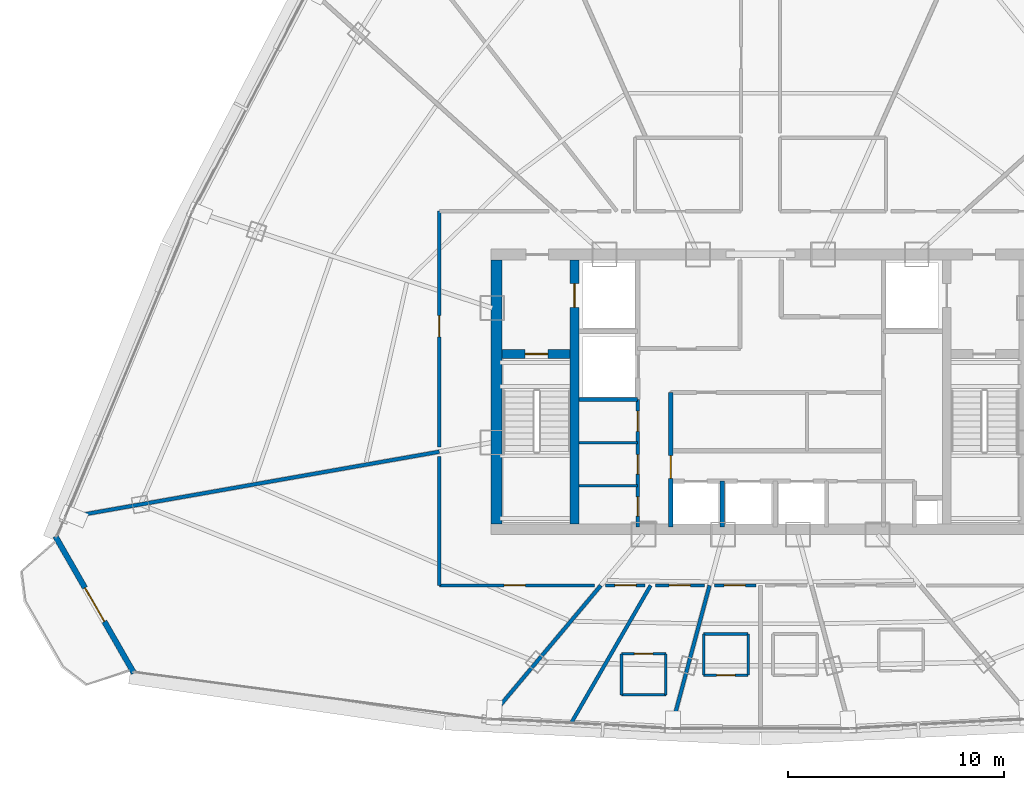
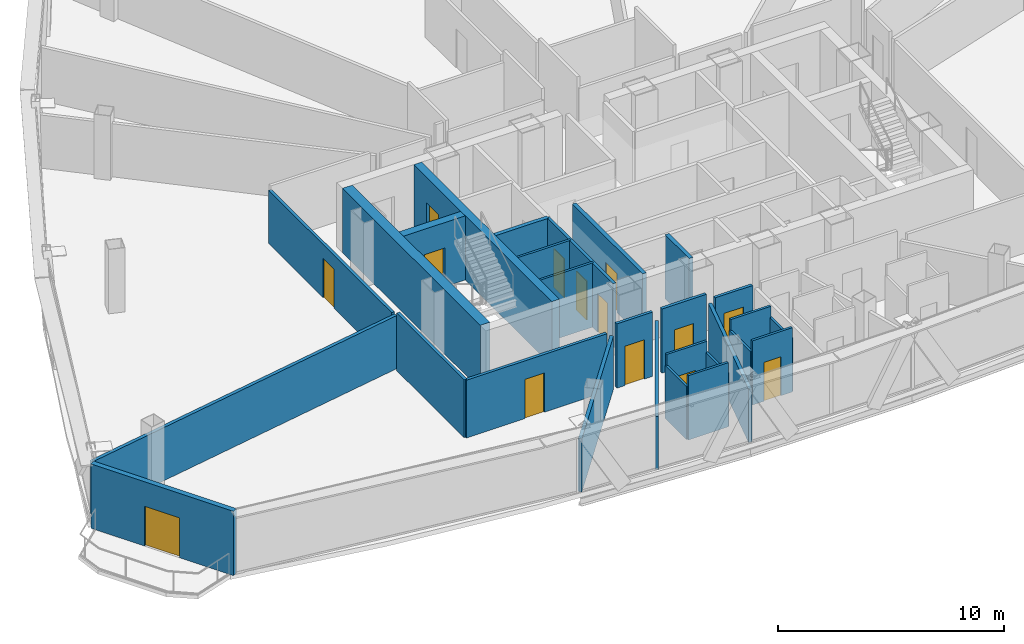
# One storey, part 33 of 39: 28 walls, 14 doors, 14 openings.
"""IFC4 building model written with IfcOpenShell, lengths in metres."""

from ifc_helpers import new_model, si_unit, direction, frame, frame_2d, origin, origin_with_axes, place, context, subcontext, project, spatial, rectangle, extrude, source, transform, mapped, material, layer, layer_set, type_object, element, fill, save


model = new_model("IFC4")

# Units and contexts
model_context = context("Model", 3, precision=1e-05, world=origin(), true_north=direction((0.0, 1.0)))
body_context = subcontext(model_context, "Body", "Model", "MODEL_VIEW")
ifc_project = project(units=[si_unit("LENGTHUNIT", "METRE"), si_unit("AREAUNIT", "SQUARE_METRE"), si_unit("VOLUMEUNIT", "CUBIC_METRE"), si_unit("PLANEANGLEUNIT", "RADIAN"), si_unit("MASSUNIT", "GRAM", prefix="KILO"), si_unit("THERMODYNAMICTEMPERATUREUNIT", "KELVIN"), si_unit("POWERUNIT", "WATT")], contexts=[model_context])

# Site, building, storey
site_placement = place(None, origin())
site = spatial("IfcSite", under=ifc_project, at=site_placement, CompositionType="ELEMENT")
building_placement = place(site_placement, origin())
building = spatial("IfcBuilding", under=site, at=building_placement, Name="Yunzhuo Pagoda Commons", CompositionType="ELEMENT")
storey_placement = place(building_placement, frame((0.0, 0.0, 285.02001953125)))
storey = spatial("IfcBuildingStorey", under=building, at=storey_placement, Name="L71", CompositionType="ELEMENT", Elevation=285.02001953125)

# Wall, opening, door
ifc_material_1 = material(Name="Precast concrete C40", Category="concrete")
ifc_layer_1 = layer(ifc_material_1, 0.260009765625)
ifc_layer_set_1 = layer_set([ifc_layer_1], Name="Precast concrete C40")
wall_type_1 = type_object("IfcWallType", Name="W-BAL1 Corner Balcony Threshold Wall 260", PredefinedType="STANDARD", material=ifc_layer_set_1)
wall_1_placement = place(storey_placement, frame((15.402099609375, 27.174072265625, 0.0), z_axis=(0.0, 0.0, 1.0), x_axis=(0.497929527106, -0.867217496385, 0.0)))
wall_1 = element("IfcWall", 1, at=wall_1_placement, inside=storey, type_object=wall_type_1, Name="L71 corner balcony wall V1", PredefinedType="STANDARD", context=body_context, shape_type="SweptSolid", body=[
    extrude(rectangle(XDim=7.29345703125, YDim=0.260009765625, at=frame_2d((3.646728515625, 0.0))), origin(), (0.0, 0.0, 1.0), 3.469970703125),
])
opening_1_placement = place(wall_1_placement, frame((2.74658203125, 0.0, 0.0)))
opening_1 = element("IfcOpeningElement", 2, at=opening_1_placement, cuts=wall_1, Name="Opening D-BAL1", PredefinedType="OPENING", context=body_context, shape_type="SweptSolid", body=[
    extrude(rectangle(XDim=1.800048828125, YDim=2.14990234375, at=frame_2d((0.89990234375, 1.074951171875))), frame((0.0, 0.14013671875, 0.0), z_axis=(0.0, -1.0, 0.0), x_axis=(1.0, 0.0, 0.0)), (0.0, 0.0, 1.0), 0.280029296875),
])
ifc_material_2 = material(Name="Anodized aluminium frame and tempered glazed leaf", Category="aluminium")
door_type_1 = type_object("IfcDoorType", Name="D-BAL1 Corner Balcony Sliding Glazed Door 1800x2150", OperationType="DOUBLE_DOOR_SLIDING", PredefinedType="DOOR", material=ifc_material_2)
shared_shape_1 = source(origin(), body_context, "Body", "SweptSolid", [
    extrude(rectangle(XDim=1.800048828125, YDim=2.14990234375, at=frame_2d((0.89990234375, 1.074951171875))), frame((0.0, 0.02490234375, 0.0), z_axis=(0.0, -1.0, 0.0), x_axis=(1.0, 0.0, 0.0)), (0.0, 0.0, 1.0), 0.050048828125),
])
door_1_placement = place(opening_1_placement, origin_with_axes())
door_1 = element("IfcDoor", 3, at=door_1_placement, inside=storey, type_object=door_type_1, Name="L71 corner balcony sliding door V1", OperationType="DOUBLE_DOOR_SLIDING", OverallHeight=2.14990234375, OverallWidth=1.800048828125, PredefinedType="DOOR", context=body_context, shape_type="MappedRepresentation", body=[
    mapped(shared_shape_1, transform((0.0, 0.0, 0.0), scale=1.0)),
])
fill(opening_1, door_1)

# Wall
ifc_material_3 = material(Name="Concrete C50", Category="concrete")
ifc_layer_2 = layer(ifc_material_3, 0.5)
ifc_layer_set_2 = layer_set([ifc_layer_2], Name="Concrete C50")
wall_type_2 = type_object("IfcWallType", Name="W-C03 Upper Core Shear Wall 500", PredefinedType="SHEAR", material=ifc_layer_set_2)
wall_2_placement = place(storey_placement, frame((35.800048828125, 27.75, 0.0), z_axis=(0.0, 0.0, 1.0), x_axis=(0.0, 1.0, 0.0)))
element("IfcWall", 4, at=wall_2_placement, inside=storey, type_object=wall_type_2, Name="L71 core shear wall W", PredefinedType="SHEAR", context=body_context, shape_type="SweptSolid", body=[
    extrude(rectangle(XDim=12.199951171875, YDim=0.5, at=frame_2d((6.10009765625, 0.0))), origin(), (0.0, 0.0, 1.0), 3.469970703125),
])

# Wall, openings, doors
ifc_material_4 = material(Name="Gypsum plasterboard on acoustic stud")
ifc_layer_3 = layer(ifc_material_4, 0.14990234375)
ifc_layer_set_3 = layer_set([ifc_layer_3], Name="Gypsum plasterboard on acoustic stud")
wall_type_3 = type_object("IfcWallType", Name="W-COR3 High-Zone Rated Corridor Wall 150", PredefinedType="PARTITIONING", material=ifc_layer_set_3)
wall_3_placement = place(storey_placement, frame((42.320068359375, 27.60009765625, 0.0), z_axis=(0.0, 0.0, 1.0), x_axis=(0.0, 1.0, 0.0)))
wall_3 = element("IfcWall", 5, at=wall_3_placement, inside=storey, type_object=wall_type_3, Name="L71 interior wall IW-L71-CSWE", PredefinedType="PARTITIONING", context=body_context, shape_type="SweptSolid", body=[
    extrude(rectangle(XDim=5.89990234375, YDim=0.14990234375, at=frame_2d((2.949951171875, 0.0))), origin(), (0.0, 0.0, 1.0), 3.469970703125),
])
opening_2_placement = place(wall_3_placement, frame((0.5, 0.0, 0.0)))
opening_2 = element("IfcOpeningElement", 6, at=opening_2_placement, cuts=wall_3, Name="Opening D-03", PredefinedType="OPENING", context=body_context, shape_type="SweptSolid", body=[
    extrude(rectangle(XDim=0.89990234375, YDim=2.10009765625, at=frame_2d((0.449951171875, 1.050048828125))), frame((0.0, 0.0849609375, 0.0), z_axis=(0.0, -1.0, 0.0), x_axis=(1.0, 0.0, 0.0)), (0.0, 0.0, 1.0), 0.169921875),
])
opening_3_placement = place(wall_3_placement, frame((2.449951171875, 0.0, 0.0)))
opening_3 = element("IfcOpeningElement", 7, at=opening_3_placement, cuts=wall_3, Name="Opening D-03", PredefinedType="OPENING", context=body_context, shape_type="SweptSolid", body=[
    extrude(rectangle(XDim=0.89990234375, YDim=2.10009765625, at=frame_2d((0.449951171875, 1.050048828125))), frame((0.0, 0.0849609375, 0.0), z_axis=(0.0, -1.0, 0.0), x_axis=(1.0, 0.0, 0.0)), (0.0, 0.0, 1.0), 0.169921875),
])
opening_4_placement = place(wall_3_placement, frame((4.419921875, 0.0, 0.0)))
opening_4 = element("IfcOpeningElement", 8, at=opening_4_placement, cuts=wall_3, Name="Opening D-11", PredefinedType="OPENING", context=body_context, shape_type="SweptSolid", body=[
    extrude(rectangle(XDim=0.93994140625, YDim=2.10009765625, at=frame_2d((0.469970703125, 1.050048828125))), frame((0.0, 0.0849609375, 0.0), z_axis=(0.0, -1.0, 0.0), x_axis=(1.0, 0.0, 0.0)), (0.0, 0.0, 1.0), 0.169921875),
])
ifc_material_5 = material(Name="Galvanized fire-resisting metal leaf")
door_type_2 = type_object("IfcDoorType", Name="D-03 Core Service Fire Door 900x2100", OperationType="NOTDEFINED", PredefinedType="DOOR", material=ifc_material_5)
shared_shape_2 = source(origin(), body_context, "Body", "SweptSolid", [
    extrude(rectangle(XDim=0.89990234375, YDim=2.10009765625, at=frame_2d((0.449951171875, 1.050048828125))), frame((0.0, 0.02490234375, 0.0), z_axis=(0.0, -1.0, 0.0), x_axis=(1.0, 0.0, 0.0)), (0.0, 0.0, 1.0), 0.050048828125),
])
door_2_placement = place(opening_2_placement, origin_with_axes())
door_2 = element("IfcDoor", 9, at=door_2_placement, inside=storey, type_object=door_type_2, Name="L71 switch door", OperationType="SINGLE_SWING_RIGHT", OverallHeight=2.10009765625, OverallWidth=0.89990234375, PredefinedType="DOOR", context=body_context, shape_type="MappedRepresentation", body=[
    mapped(shared_shape_2, transform((0.0, 0.0, 0.0), scale=1.0)),
])
fill(opening_2, door_2)
door_3_placement = place(opening_3_placement, origin_with_axes())
door_3 = element("IfcDoor", 10, at=door_3_placement, inside=storey, type_object=door_type_2, Name="L71 cleaner door", OperationType="SINGLE_SWING_RIGHT", OverallHeight=2.10009765625, OverallWidth=0.89990234375, PredefinedType="DOOR", context=body_context, shape_type="MappedRepresentation", body=[
    mapped(shared_shape_2, transform((0.0, 0.0, 0.0), scale=1.0)),
])
fill(opening_3, door_3)
door_type_3 = type_object("IfcDoorType", Name="D-11 Accessible Washroom Fire Door 940x2100", OperationType="NOTDEFINED", PredefinedType="DOOR", material=ifc_material_5)
shared_shape_3 = source(origin(), body_context, "Body", "SweptSolid", [
    extrude(rectangle(XDim=0.93994140625, YDim=2.10009765625, at=frame_2d((0.469970703125, 1.050048828125))), frame((0.0, 0.02490234375, 0.0), z_axis=(0.0, -1.0, 0.0), x_axis=(1.0, 0.0, 0.0)), (0.0, 0.0, 1.0), 0.050048828125),
])
door_4_placement = place(opening_4_placement, origin_with_axes())
door_4 = element("IfcDoor", 11, at=door_4_placement, inside=storey, type_object=door_type_3, Name="L71 core WC door", OperationType="SINGLE_SWING_LEFT", OverallHeight=2.10009765625, OverallWidth=0.93994140625, PredefinedType="DOOR", context=body_context, shape_type="MappedRepresentation", body=[
    mapped(shared_shape_3, transform((0.0, 0.0, 0.0), scale=1.0)),
])
fill(opening_4, door_4)

# Wall
wall_4_placement = place(storey_placement, frame((33.14990234375, 24.89990234375, 0.0), z_axis=(0.0, 0.0, 1.0), x_axis=(0.0, 1.0, 0.0)))
element("IfcWall", 12, at=wall_4_placement, inside=storey, type_object=wall_type_3, Name="L71 interior wall IW-L71-CWL01", PredefinedType="PARTITIONING", context=body_context, shape_type="SweptSolid", body=[
    extrude(rectangle(XDim=5.958251953125, YDim=0.14990234375, at=frame_2d((2.97900390625, 0.0))), origin(), (0.0, 0.0, 1.0), 3.119873046875),
])

# Wall, opening, door
wall_5_placement = place(storey_placement, frame((33.14990234375, 31.30126953125, 0.0), z_axis=(0.0, 0.0, 1.0), x_axis=(0.0, 1.0, 0.0)))
wall_5 = element("IfcWall", 13, at=wall_5_placement, inside=storey, type_object=wall_type_3, Name="L71 interior wall IW-L71-CWL02", PredefinedType="PARTITIONING", context=body_context, shape_type="SweptSolid", body=[
    extrude(rectangle(XDim=10.898681640625, YDim=0.14990234375, at=frame_2d((5.44921875, 0.0))), origin(), (0.0, 0.0, 1.0), 2.869873046875),
])
opening_5_placement = place(wall_5_placement, frame((5.094482421875, 0.0, 0.0)))
opening_5 = element("IfcOpeningElement", 14, at=opening_5_placement, cuts=wall_5, Name="Opening D-08", PredefinedType="OPENING", context=body_context, shape_type="SweptSolid", body=[
    extrude(rectangle(XDim=0.97998046875, YDim=2.1201171875, at=frame_2d((0.489990234375, 1.06005859375))), frame((0.0, 0.0849609375, 0.0), z_axis=(0.0, -1.0, 0.0), x_axis=(1.0, 0.0, 0.0)), (0.0, 0.0, 1.0), 0.169921875),
])
door_type_4 = type_object("IfcDoorType", Name="D-08 High-Zone Suite Entrance Fire Door 980x2120", OperationType="NOTDEFINED", PredefinedType="DOOR", material=ifc_material_5)
shared_shape_4 = source(origin(), body_context, "Body", "SweptSolid", [
    extrude(rectangle(XDim=0.97998046875, YDim=2.1201171875, at=frame_2d((0.489990234375, 1.06005859375))), frame((0.0, 0.02490234375, 0.0), z_axis=(0.0, -1.0, 0.0), x_axis=(1.0, 0.0, 0.0)), (0.0, 0.0, 1.0), 0.050048828125),
])
door_5_placement = place(opening_5_placement, origin_with_axes())
door_5 = element("IfcDoor", 15, at=door_5_placement, inside=storey, type_object=door_type_4, Name="L71 Shared Resident Kitchen and Pantry door", OperationType="SINGLE_SWING_LEFT", OverallHeight=2.1201171875, OverallWidth=0.97998046875, PredefinedType="DOOR", context=body_context, shape_type="MappedRepresentation", body=[
    mapped(shared_shape_4, transform((0.0, 0.0, 0.0), scale=1.0)),
])
fill(opening_5, door_5)

wall_6_placement = place(storey_placement, frame((47.780029296875, 24.89990234375, 0.0), z_axis=(0.0, 0.0, 1.0), x_axis=(-1.0, 0.0, 0.0)))
wall_6 = element("IfcWall", 16, at=wall_6_placement, inside=storey, type_object=wall_type_3, Name="L71 interior wall IW-L71-CWL17", PredefinedType="PARTITIONING", context=body_context, shape_type="SweptSolid", body=[
    extrude(rectangle(XDim=1.918212890625, YDim=0.14990234375, at=frame_2d((0.958984375, 0.0))), origin(), (0.0, 0.0, 1.0), 3.119873046875),
])
opening_6_placement = place(wall_6_placement, frame((0.48388671875, 0.0, 0.0)))
opening_6 = element("IfcOpeningElement", 17, at=opening_6_placement, cuts=wall_6, Name="Opening D-08", PredefinedType="OPENING", context=body_context, shape_type="SweptSolid", body=[
    extrude(rectangle(XDim=0.97998046875, YDim=2.1201171875, at=frame_2d((0.489990234375, 1.06005859375))), frame((0.0, 0.0849609375, 0.0), z_axis=(0.0, -1.0, 0.0), x_axis=(1.0, 0.0, 0.0)), (0.0, 0.0, 1.0), 0.169921875),
])
door_6_placement = place(opening_6_placement, origin_with_axes())
door_6 = element("IfcDoor", 18, at=door_6_placement, inside=storey, type_object=door_type_4, Name="L71 unit 11 entrance door", OperationType="SINGLE_SWING_LEFT", OverallHeight=2.1201171875, OverallWidth=0.97998046875, PredefinedType="DOOR", context=body_context, shape_type="MappedRepresentation", body=[
    mapped(shared_shape_4, transform((0.0, 0.0, 0.0), scale=1.0)),
])
fill(opening_6, door_6)

wall_7_placement = place(storey_placement, frame((45.414306640625, 24.89990234375, 0.0), z_axis=(0.0, 0.0, 1.0), x_axis=(-1.0, 0.0, 0.0)))
wall_7 = element("IfcWall", 19, at=wall_7_placement, inside=storey, type_object=wall_type_3, Name="L71 interior wall IW-L71-CWL18", PredefinedType="PARTITIONING", context=body_context, shape_type="SweptSolid", body=[
    extrude(rectangle(XDim=2.275146484375, YDim=0.14990234375, at=frame_2d((1.1376953125, 0.0))), origin(), (0.0, 0.0, 1.0), 3.469970703125),
])
opening_7_placement = place(wall_7_placement, frame((0.658447265625, 0.0, 0.0)))
opening_7 = element("IfcOpeningElement", 20, at=opening_7_placement, cuts=wall_7, Name="Opening D-08", PredefinedType="OPENING", context=body_context, shape_type="SweptSolid", body=[
    extrude(rectangle(XDim=0.97998046875, YDim=2.1201171875, at=frame_2d((0.489990234375, 1.06005859375))), frame((0.0, 0.0849609375, 0.0), z_axis=(0.0, -1.0, 0.0), x_axis=(1.0, 0.0, 0.0)), (0.0, 0.0, 1.0), 0.169921875),
])
door_7_placement = place(opening_7_placement, origin_with_axes())
door_7 = element("IfcDoor", 21, at=door_7_placement, inside=storey, type_object=door_type_4, Name="L71 unit 10 entrance door", OperationType="SINGLE_SWING_RIGHT", OverallHeight=2.1201171875, OverallWidth=0.97998046875, PredefinedType="DOOR", context=body_context, shape_type="MappedRepresentation", body=[
    mapped(shared_shape_4, transform((0.0, 0.0, 0.0), scale=1.0)),
])
fill(opening_7, door_7)

wall_8_placement = place(storey_placement, frame((42.665283203125, 24.89990234375, 0.0), z_axis=(0.0, 0.0, 1.0), x_axis=(-1.0, 0.0, 0.0)))
wall_8 = element("IfcWall", 22, at=wall_8_placement, inside=storey, type_object=wall_type_3, Name="L71 interior wall IW-L71-CWL19", PredefinedType="PARTITIONING", context=body_context, shape_type="SweptSolid", body=[
    extrude(rectangle(XDim=1.82958984375, YDim=0.14990234375, at=frame_2d((0.914794921875, 0.0))), origin(), (0.0, 0.0, 1.0), 3.469970703125),
])
opening_8_placement = place(wall_8_placement, frame((0.422607421875, 0.0, 0.0)))
opening_8 = element("IfcOpeningElement", 23, at=opening_8_placement, cuts=wall_8, Name="Opening D-08", PredefinedType="OPENING", context=body_context, shape_type="SweptSolid", body=[
    extrude(rectangle(XDim=0.97998046875, YDim=2.1201171875, at=frame_2d((0.489990234375, 1.06005859375))), frame((0.0, 0.0849609375, 0.0), z_axis=(0.0, -1.0, 0.0), x_axis=(1.0, 0.0, 0.0)), (0.0, 0.0, 1.0), 0.169921875),
])
door_8_placement = place(opening_8_placement, origin_with_axes())
door_8 = element("IfcDoor", 24, at=door_8_placement, inside=storey, type_object=door_type_4, Name="L71 unit 09 entrance door", OperationType="SINGLE_SWING_LEFT", OverallHeight=2.1201171875, OverallWidth=0.97998046875, PredefinedType="DOOR", context=body_context, shape_type="MappedRepresentation", body=[
    mapped(shared_shape_4, transform((0.0, 0.0, 0.0), scale=1.0)),
])
fill(opening_8, door_8)

wall_9_placement = place(storey_placement, frame((40.32861328125, 24.89990234375, 0.0), z_axis=(0.0, 0.0, 1.0), x_axis=(-1.0, 0.0, 0.0)))
wall_9 = element("IfcWall", 25, at=wall_9_placement, inside=storey, type_object=wall_type_3, Name="L71 interior wall IW-L71-CWL20", PredefinedType="PARTITIONING", context=body_context, shape_type="SweptSolid", body=[
    extrude(rectangle(XDim=7.1787109375, YDim=0.14990234375, at=frame_2d((3.58935546875, 0.0))), origin(), (0.0, 0.0, 1.0), 3.119873046875),
])
opening_9_placement = place(wall_9_placement, frame((3.20068359375, 0.0, 0.0)))
opening_9 = element("IfcOpeningElement", 26, at=opening_9_placement, cuts=wall_9, Name="Opening D-08", PredefinedType="OPENING", context=body_context, shape_type="SweptSolid", body=[
    extrude(rectangle(XDim=0.97998046875, YDim=2.1201171875, at=frame_2d((0.489990234375, 1.06005859375))), frame((0.0, 0.0849609375, 0.0), z_axis=(0.0, -1.0, 0.0), x_axis=(1.0, 0.0, 0.0)), (0.0, 0.0, 1.0), 0.169921875),
])
door_9_placement = place(opening_9_placement, origin_with_axes())
door_9 = element("IfcDoor", 27, at=door_9_placement, inside=storey, type_object=door_type_4, Name="L71 unit 08 entrance door", OperationType="SINGLE_SWING_RIGHT", OverallHeight=2.1201171875, OverallWidth=0.97998046875, PredefinedType="DOOR", context=body_context, shape_type="MappedRepresentation", body=[
    mapped(shared_shape_4, transform((0.0, 0.0, 0.0), scale=1.0)),
])
fill(opening_9, door_9)

# Walls
ifc_layer_4 = layer(ifc_material_4, 0.1201171875)
ifc_layer_set_4 = layer_set([ifc_layer_4], Name="Gypsum plasterboard on acoustic stud")
wall_type_4 = type_object("IfcWallType", Name="W-PRT1 Suite & Bathroom Partition 120", PredefinedType="PARTITIONING", material=ifc_layer_set_4)
for number, where, z_axis, x_axis, name in (
    (28, (39.60009765625, 29.5, 0.0), (0.0, 0.0, 1.0), (1.0, 0.0, 0.0), "L71 interior wall IW-L71-CC1"),
    (29, (39.60009765625, 31.5, 0.0), (0.0, 0.0, 1.0), (1.0, 0.0, 0.0), "L71 interior wall IW-L71-CC2"),
):
    element("IfcWall", number, at=place(storey_placement, frame(where, z_axis=z_axis, x_axis=x_axis)), inside=storey, type_object=wall_type_4, Name=name, PredefinedType="PARTITIONING", context=body_context, shape_type="SweptSolid", body=[
        extrude(rectangle(XDim=2.719970703125, YDim=0.1201171875, at=frame_2d((1.35986328125, 0.0))), origin(), (0.0, 0.0, 1.0), 3.469970703125),
    ])
wall_10_placement = place(storey_placement, frame((41.572998046875, 19.839111328125, 0.0), z_axis=(0.0, 0.0, 1.0), x_axis=(1.0, 0.0, 0.0)))
element("IfcWall", 30, at=wall_10_placement, inside=storey, type_object=wall_type_4, Name="L71 interior wall IW-L71-B10S", PredefinedType="PARTITIONING", context=body_context, shape_type="SweptSolid", body=[
    extrude(rectangle(XDim=2.050048828125, YDim=0.1201171875, at=frame_2d((1.02490234375, 0.0))), origin(), (0.0, 0.0, 1.0), 3.469970703125),
])
wall_11_placement = place(storey_placement, frame((43.623046875, 19.839111328125, 0.0), z_axis=(0.0, 0.0, 1.0), x_axis=(0.0, 1.0, 0.0)))
element("IfcWall", 31, at=wall_11_placement, inside=storey, type_object=wall_type_4, Name="L71 interior wall IW-L71-B10E", PredefinedType="PARTITIONING", context=body_context, shape_type="SweptSolid", body=[
    extrude(rectangle(XDim=1.89990234375, YDim=0.1201171875, at=frame_2d((0.949951171875, 0.0))), origin(), (0.0, 0.0, 1.0), 2.869873046875),
])

# Wall, opening, door
wall_12_placement = place(storey_placement, frame((43.623046875, 21.739013671875, 0.0), z_axis=(0.0, 0.0, 1.0), x_axis=(-1.0, 0.0, 0.0)))
wall_12 = element("IfcWall", 32, at=wall_12_placement, inside=storey, type_object=wall_type_4, Name="L71 interior wall IW-L71-B10N", PredefinedType="PARTITIONING", context=body_context, shape_type="SweptSolid", body=[
    extrude(rectangle(XDim=2.050048828125, YDim=0.1201171875, at=frame_2d((1.02490234375, 0.0))), origin(), (0.0, 0.0, 1.0), 3.469970703125),
])
opening_10_placement = place(wall_12_placement, frame((0.60009765625, 0.0, 0.0)))
opening_10 = element("IfcOpeningElement", 33, at=opening_10_placement, cuts=wall_12, Name="Opening D-05", PredefinedType="OPENING", context=body_context, shape_type="SweptSolid", body=[
    extrude(rectangle(XDim=0.85009765625, YDim=2.10009765625, at=frame_2d((0.425048828125, 1.050048828125))), frame((0.0, 0.070068359375, 0.0), z_axis=(0.0, -1.0, 0.0), x_axis=(1.0, 0.0, 0.0)), (0.0, 0.0, 1.0), 0.14013671875),
])
ifc_material_6 = material(Name="Powder-coated aluminium and timber acoustic leaf", Category="wood")
door_type_5 = type_object("IfcDoorType", Name="D-05 En-Suite Bathroom Door 850x2100", OperationType="NOTDEFINED", PredefinedType="DOOR", material=ifc_material_6)
shared_shape_5 = source(origin(), body_context, "Body", "SweptSolid", [
    extrude(rectangle(XDim=0.85009765625, YDim=2.10009765625, at=frame_2d((0.425048828125, 1.050048828125))), frame((0.0, 0.02490234375, 0.0), z_axis=(0.0, -1.0, 0.0), x_axis=(1.0, 0.0, 0.0)), (0.0, 0.0, 1.0), 0.050048828125),
])
door_10_placement = place(opening_10_placement, frame((0.85009765625, 0.0, 0.0), z_axis=(0.0, 0.0, 1.0), x_axis=(-1.0, 0.0, 0.0)))
door_10 = element("IfcDoor", 34, at=door_10_placement, inside=storey, type_object=door_type_5, Name="L71 unit 10 bathroom door", OperationType="SINGLE_SWING_RIGHT", OverallHeight=2.10009765625, OverallWidth=0.85009765625, PredefinedType="DOOR", context=body_context, shape_type="MappedRepresentation", body=[
    mapped(shared_shape_5, transform((0.0, 0.0, 0.0), scale=1.0)),
])
fill(opening_10, door_10)

# Wall
wall_13_placement = place(storey_placement, frame((41.572998046875, 21.739013671875, 0.0), z_axis=(0.0, 0.0, 1.0), x_axis=(0.0, -1.0, 0.0)))
element("IfcWall", 35, at=wall_13_placement, inside=storey, type_object=wall_type_4, Name="L71 interior wall IW-L71-B10W", PredefinedType="PARTITIONING", context=body_context, shape_type="SweptSolid", body=[
    extrude(rectangle(XDim=1.89990234375, YDim=0.1201171875, at=frame_2d((0.949951171875, 0.0))), origin(), (0.0, 0.0, 1.0), 2.869873046875),
])

# Wall, opening, door
wall_14_placement = place(storey_placement, frame((45.373046875, 20.758056640625, 0.0), z_axis=(0.0, 0.0, 1.0), x_axis=(1.0, 0.0, 0.0)))
wall_14 = element("IfcWall", 36, at=wall_14_placement, inside=storey, type_object=wall_type_4, Name="L71 interior wall IW-L71-B11S", PredefinedType="PARTITIONING", context=body_context, shape_type="SweptSolid", body=[
    extrude(rectangle(XDim=2.050048828125, YDim=0.1201171875, at=frame_2d((1.02490234375, 0.0))), origin(), (0.0, 0.0, 1.0), 3.469970703125),
])
opening_11_placement = place(wall_14_placement, frame((0.60009765625, 0.0, 0.0)))
opening_11 = element("IfcOpeningElement", 37, at=opening_11_placement, cuts=wall_14, Name="Opening D-05", PredefinedType="OPENING", context=body_context, shape_type="SweptSolid", body=[
    extrude(rectangle(XDim=0.85009765625, YDim=2.10009765625, at=frame_2d((0.425048828125, 1.050048828125))), frame((0.0, 0.070068359375, 0.0), z_axis=(0.0, -1.0, 0.0), x_axis=(1.0, 0.0, 0.0)), (0.0, 0.0, 1.0), 0.14013671875),
])
door_11_placement = place(opening_11_placement, frame((0.85009765625, 0.0, 0.0), z_axis=(0.0, 0.0, 1.0), x_axis=(-1.0, 0.0, 0.0)))
door_11 = element("IfcDoor", 38, at=door_11_placement, inside=storey, type_object=door_type_5, Name="L71 unit 11 bathroom door", OperationType="SINGLE_SWING_LEFT", OverallHeight=2.10009765625, OverallWidth=0.85009765625, PredefinedType="DOOR", context=body_context, shape_type="MappedRepresentation", body=[
    mapped(shared_shape_5, transform((0.0, 0.0, 0.0), scale=1.0)),
])
fill(opening_11, door_11)

# Walls
wall_15_placement = place(storey_placement, frame((47.423095703125, 20.758056640625, 0.0), z_axis=(0.0, 0.0, 1.0), x_axis=(0.0, 1.0, 0.0)))
element("IfcWall", 39, at=wall_15_placement, inside=storey, type_object=wall_type_4, Name="L71 interior wall IW-L71-B11E", PredefinedType="PARTITIONING", context=body_context, shape_type="SweptSolid", body=[
    extrude(rectangle(XDim=1.89990234375, YDim=0.1201171875, at=frame_2d((0.949951171875, 0.0))), origin(), (0.0, 0.0, 1.0), 2.869873046875),
])
wall_16_placement = place(storey_placement, frame((47.423095703125, 22.657958984375, 0.0), z_axis=(0.0, 0.0, 1.0), x_axis=(-1.0, 0.0, 0.0)))
element("IfcWall", 40, at=wall_16_placement, inside=storey, type_object=wall_type_4, Name="L71 interior wall IW-L71-B11N", PredefinedType="PARTITIONING", context=body_context, shape_type="SweptSolid", body=[
    extrude(rectangle(XDim=2.050048828125, YDim=0.1201171875, at=frame_2d((1.02490234375, 0.0))), origin(), (0.0, 0.0, 1.0), 3.469970703125),
])
wall_17_placement = place(storey_placement, frame((45.373046875, 22.657958984375, 0.0), z_axis=(0.0, 0.0, 1.0), x_axis=(0.0, -1.0, 0.0)))
element("IfcWall", 41, at=wall_17_placement, inside=storey, type_object=wall_type_4, Name="L71 interior wall IW-L71-B11W", PredefinedType="PARTITIONING", context=body_context, shape_type="SweptSolid", body=[
    extrude(rectangle(XDim=1.89990234375, YDim=0.1201171875, at=frame_2d((0.949951171875, 0.0))), origin(), (0.0, 0.0, 1.0), 2.869873046875),
])
ifc_layer_5 = layer(ifc_material_4, 0.169921875)
ifc_layer_set_5 = layer_set([ifc_layer_5], Name="Gypsum plasterboard on acoustic stud")
wall_type_5 = type_object("IfcWallType", Name="W-PRT4 High-Zone Demising Wall 170", PredefinedType="PARTITIONING", material=ifc_layer_set_5)
wall_18_placement = place(storey_placement, frame((33.14990234375, 31.08154296875, 0.0), z_axis=(0.0, 0.0, 1.0), x_axis=(-0.984807054696, -0.173652137966, 0.0)))
element("IfcWall", 42, at=wall_18_placement, inside=storey, type_object=wall_type_5, Name="L71 interior wall IW-L71-RAD08", PredefinedType="PARTITIONING", context=body_context, shape_type="SweptSolid", body=[
    extrude(rectangle(XDim=17.56689453125, YDim=0.169921875, at=frame_2d((8.783447265625, 0.0))), origin(), (0.0, 0.0, 1.0), 2.869873046875),
])
wall_19_placement = place(storey_placement, frame((40.615966796875, 24.89990234375, 0.0), z_axis=(0.0, 0.0, 1.0), x_axis=(-0.642788791497, -0.76604345146, 0.0)))
element("IfcWall", 43, at=wall_19_placement, inside=storey, type_object=wall_type_5, Name="L71 interior wall IW-L71-RAD09", PredefinedType="PARTITIONING", context=body_context, shape_type="SweptSolid", body=[
    extrude(rectangle(XDim=8.065673828125, YDim=0.169921875, at=frame_2d((4.03271484375, 0.0))), origin(), (0.0, 0.0, 1.0), 2.869873046875),
])
wall_20_placement = place(storey_placement, frame((42.919189453125, 24.89990234375, 0.0), z_axis=(0.0, 0.0, 1.0), x_axis=(-0.499992114976, -0.866029956157, 0.0)))
element("IfcWall", 44, at=wall_20_placement, inside=storey, type_object=wall_type_5, Name="L71 interior wall IW-L71-RAD10", PredefinedType="PARTITIONING", context=body_context, shape_type="SweptSolid", body=[
    extrude(rectangle(XDim=7.36669921875, YDim=0.169921875, at=frame_2d((3.683349609375, 0.0))), origin(), (0.0, 0.0, 1.0), 2.869873046875),
])
wall_21_placement = place(storey_placement, frame((45.64208984375, 24.89990234375, 0.0), z_axis=(0.0, 0.0, 1.0), x_axis=(-0.258825643191, -0.965924058312, 0.0)))
element("IfcWall", 45, at=wall_21_placement, inside=storey, type_object=wall_type_5, Name="L71 interior wall IW-L71-RAD11", PredefinedType="PARTITIONING", context=body_context, shape_type="SweptSolid", body=[
    extrude(rectangle(XDim=6.8583984375, YDim=0.169921875, at=frame_2d((3.42919921875, 0.0))), origin(), (0.0, 0.0, 1.0), 2.869873046875),
])

# Wall, opening, door
ifc_material_7 = material(Name="Concrete C60", Category="concrete")
ifc_layer_6 = layer(ifc_material_7, 0.39990234375)
ifc_layer_set_6 = layer_set([ifc_layer_6], Name="Concrete C60")
wall_type_6 = type_object("IfcWallType", Name="W-S01 Internal Core Shear Web 400", PredefinedType="SHEAR", material=ifc_layer_set_6)
wall_22_placement = place(storey_placement, frame((39.39990234375, 27.75, 0.0), z_axis=(0.0, 0.0, 1.0), x_axis=(0.0, 1.0, 0.0)))
wall_22 = element("IfcWall", 46, at=wall_22_placement, inside=storey, type_object=wall_type_6, Name="L71 core shear wall WEBW", PredefinedType="SHEAR", context=body_context, shape_type="SweptSolid", body=[
    extrude(rectangle(XDim=12.199951171875, YDim=0.39990234375, at=frame_2d((6.10009765625, 0.0))), origin(), (0.0, 0.0, 1.0), 3.469970703125),
])
opening_12_placement = place(wall_22_placement, frame((10.0, 0.0, 0.0)))
opening_12 = element("IfcOpeningElement", 47, at=opening_12_placement, cuts=wall_22, Name="Opening LD-01", PredefinedType="OPENING", context=body_context, shape_type="SweptSolid", body=[
    extrude(rectangle(XDim=1.10009765625, YDim=2.10009765625, at=frame_2d((0.550048828125, 1.050048828125))), frame((0.0, 0.2099609375, 0.0), z_axis=(0.0, -1.0, 0.0), x_axis=(1.0, 0.0, 0.0)), (0.0, 0.0, 1.0), 0.419921875),
])
door_type_6 = type_object("IfcDoorType", Name="LD-01 Firefighting Lift Landing Door 1100x2100", OperationType="DOUBLE_DOOR_SLIDING", PredefinedType="DOOR", material=ifc_material_5)
shared_shape_6 = source(origin(), body_context, "Body", "SweptSolid", [
    extrude(rectangle(XDim=1.10009765625, YDim=2.10009765625, at=frame_2d((0.550048828125, 1.050048828125))), frame((0.0, 0.02490234375, 0.0), z_axis=(0.0, -1.0, 0.0), x_axis=(1.0, 0.0, 0.0)), (0.0, 0.0, 1.0), 0.050048828125),
])
door_12_placement = place(opening_12_placement, frame((1.10009765625, 0.0, 0.0), z_axis=(0.0, 0.0, 1.0), x_axis=(-1.0, 0.0, 0.0)))
door_12 = element("IfcDoor", 48, at=door_12_placement, inside=storey, type_object=door_type_6, Name="L71 Firefighting lift FL-1 landing door", OperationType="DOUBLE_DOOR_SLIDING", OverallHeight=2.10009765625, OverallWidth=1.10009765625, PredefinedType="DOOR", context=body_context, shape_type="MappedRepresentation", body=[
    mapped(shared_shape_6, transform((0.0, 0.0, 0.0), scale=1.0)),
])
fill(opening_12, door_12)

wall_23_placement = place(storey_placement, frame((36.050048828125, 35.60009765625, 0.0), z_axis=(0.0, 0.0, 1.0), x_axis=(1.0, 0.0, 0.0)))
wall_23 = element("IfcWall", 49, at=wall_23_placement, inside=storey, type_object=wall_type_6, Name="L71 core shear wall STW", PredefinedType="SHEAR", context=body_context, shape_type="SweptSolid", body=[
    extrude(rectangle(XDim=3.14990234375, YDim=0.39990234375, at=frame_2d((1.574951171875, 0.0))), origin(), (0.0, 0.0, 1.0), 3.469970703125),
])
opening_13_placement = place(wall_23_placement, frame((1.070068359375, 0.0, 0.0)))
opening_13 = element("IfcOpeningElement", 50, at=opening_13_placement, cuts=wall_23, Name="Opening D-01", PredefinedType="OPENING", context=body_context, shape_type="SweptSolid", body=[
    extrude(rectangle(XDim=1.050048828125, YDim=2.10009765625, at=frame_2d((0.52490234375, 1.050048828125))), frame((0.0, 0.2099609375, 0.0), z_axis=(0.0, -1.0, 0.0), x_axis=(1.0, 0.0, 0.0)), (0.0, 0.0, 1.0), 0.419921875),
])
door_type_7 = type_object("IfcDoorType", Name="D-01 Smokeproof Stair Fire Door 1050x2100", OperationType="NOTDEFINED", PredefinedType="DOOR", material=ifc_material_5)
shared_shape_7 = source(origin(), body_context, "Body", "SweptSolid", [
    extrude(rectangle(XDim=1.050048828125, YDim=2.10009765625, at=frame_2d((0.52490234375, 1.050048828125))), frame((0.0, 0.02490234375, 0.0), z_axis=(0.0, -1.0, 0.0), x_axis=(1.0, 0.0, 0.0)), (0.0, 0.0, 1.0), 0.050048828125),
])
door_13_placement = place(opening_13_placement, frame((1.050048828125, 0.0, 0.0), z_axis=(0.0, 0.0, 1.0), x_axis=(-1.0, 0.0, 0.0)))
door_13 = element("IfcDoor", 51, at=door_13_placement, inside=storey, type_object=door_type_7, Name="L71 Stair ST1 fire door", OperationType="SINGLE_SWING_LEFT", OverallHeight=2.10009765625, OverallWidth=1.050048828125, PredefinedType="DOOR", context=body_context, shape_type="MappedRepresentation", body=[
    mapped(shared_shape_7, transform((0.0, 0.0, 0.0), scale=1.0)),
])
fill(opening_13, door_13)

# Wall
ifc_material_8 = material(Name="Concrete C40", Category="concrete")
ifc_layer_7 = layer(ifc_material_8, 0.199951171875)
ifc_layer_set_7 = layer_set([ifc_layer_7], Name="Concrete C40")
wall_type_7 = type_object("IfcWallType", Name="W-SHF Shaft & Stair Enclosure Wall 200", PredefinedType="SOLIDWALL", material=ifc_layer_set_7)
wall_24_placement = place(storey_placement, frame((39.60009765625, 33.5, 0.0), z_axis=(0.0, 0.0, 1.0), x_axis=(1.0, 0.0, 0.0)))
element("IfcWall", 52, at=wall_24_placement, inside=storey, type_object=wall_type_7, Name="L71 interior wall IW-L71-SL1S", PredefinedType="SOLIDWALL", context=body_context, shape_type="SweptSolid", body=[
    extrude(rectangle(XDim=2.719970703125, YDim=0.199951171875, at=frame_2d((1.35986328125, 0.0))), origin(), (0.0, 0.0, 1.0), 3.469970703125),
])

# Wall, opening, door
wall_25_placement = place(storey_placement, frame((43.85009765625, 27.60009765625, 0.0), z_axis=(0.0, 0.0, 1.0), x_axis=(0.0, 1.0, 0.0)))
wall_25 = element("IfcWall", 53, at=wall_25_placement, inside=storey, type_object=wall_type_7, Name="L71 interior wall IW-L71-PLMW", PredefinedType="SOLIDWALL", context=body_context, shape_type="SweptSolid", body=[
    extrude(rectangle(XDim=6.219970703125, YDim=0.199951171875, at=frame_2d((3.10986328125, 0.0))), origin(), (0.0, 0.0, 1.0), 3.469970703125),
])
opening_14_placement = place(wall_25_placement, frame((2.25, 0.0, 0.0)))
opening_14 = element("IfcOpeningElement", 54, at=opening_14_placement, cuts=wall_25, Name="Opening D-02", PredefinedType="OPENING", context=body_context, shape_type="SweptSolid", body=[
    extrude(rectangle(XDim=1.050048828125, YDim=2.10009765625, at=frame_2d((0.52490234375, 1.050048828125))), frame((0.0, 0.10986328125, 0.0), z_axis=(0.0, -1.0, 0.0), x_axis=(1.0, 0.0, 0.0)), (0.0, 0.0, 1.0), 0.219970703125),
])
door_type_8 = type_object("IfcDoorType", Name="D-02 Firefighting Lobby & Refuge Fire Door 1050x2100", OperationType="NOTDEFINED", PredefinedType="DOOR", material=ifc_material_5)
door_14_placement = place(opening_14_placement, frame((1.050048828125, 0.0, 0.0), z_axis=(0.0, 0.0, 1.0), x_axis=(-1.0, 0.0, 0.0)))
door_14 = element("IfcDoor", 55, at=door_14_placement, inside=storey, type_object=door_type_8, Name="L71 High-bank hall west door", OperationType="SINGLE_SWING_LEFT", OverallHeight=2.10009765625, OverallWidth=1.050048828125, PredefinedType="DOOR", context=body_context, shape_type="MappedRepresentation", body=[
    mapped(shared_shape_7, transform((0.0, 0.0, 0.0), scale=1.0)),
])
fill(opening_14, door_14)

# Wall
wall_26_placement = place(storey_placement, frame((46.22509765625, 27.60009765625, 0.0), z_axis=(0.0, 0.0, 1.0), x_axis=(0.0, 1.0, 0.0)))
element("IfcWall", 56, at=wall_26_placement, inside=storey, type_object=wall_type_7, Name="L71 interior wall IW-L71-PLHD1", PredefinedType="SOLIDWALL", context=body_context, shape_type="SweptSolid", body=[
    extrude(rectangle(XDim=2.119873046875, YDim=0.199951171875, at=frame_2d((1.06005859375, 0.0))), origin(), (0.0, 0.0, 1.0), 3.469970703125),
])

save(model, "model.ifc")
